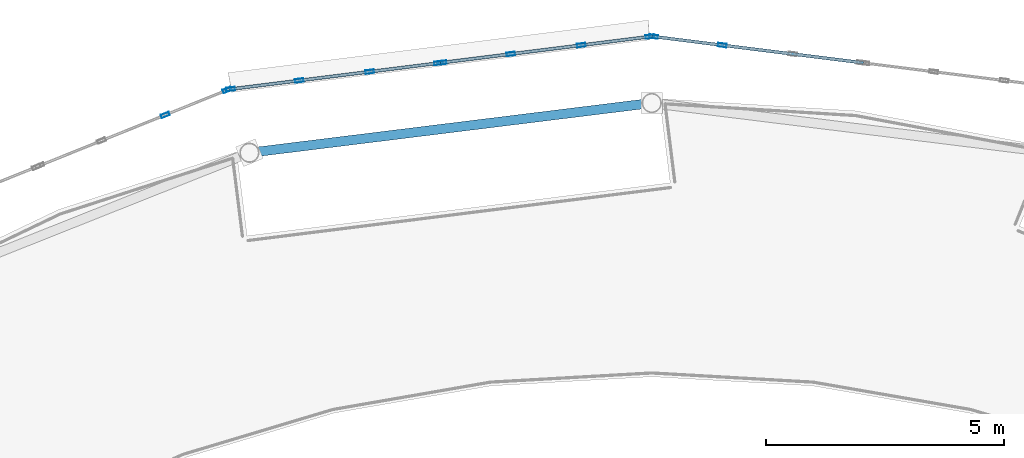
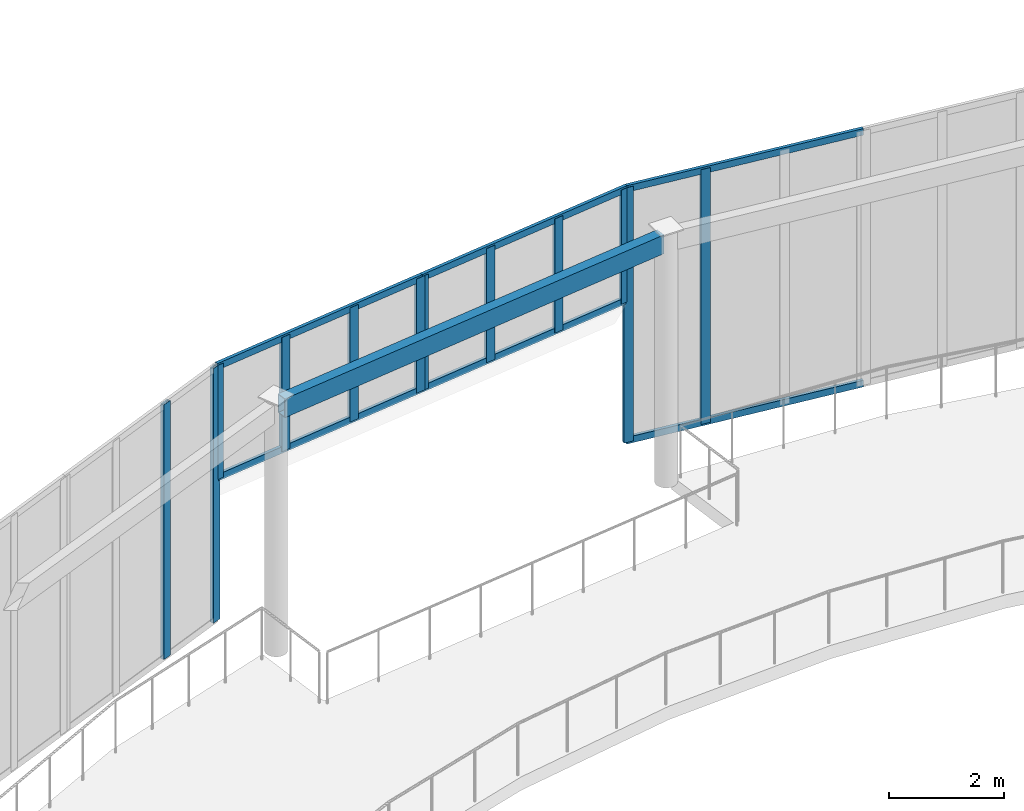
# One storey, part 45 of 98: 18 members, 1 beam, 4 elements without a shape of their own.
"""IFC4 building model written with IfcOpenShell, lengths in metres."""

from ifc_helpers import new_model, si_unit, direction, frame, origin, origin_2d, place, context, subcontext, project, spatial, hollow_rectangle, extrude, material, layer, layer_set, material_profile, profile_set, type_object, element, aggregate, save


model = new_model("IFC4")

# Units and contexts
model_context = context("Model", 3, precision=1e-05, world=origin(), true_north=direction((0.0, 1.0)))
body_context = subcontext(model_context, "Body", "Model", "MODEL_VIEW")
ifc_project = project(units=[si_unit("LENGTHUNIT", "METRE"), si_unit("AREAUNIT", "SQUARE_METRE"), si_unit("VOLUMEUNIT", "CUBIC_METRE"), si_unit("PLANEANGLEUNIT", "RADIAN"), si_unit("MASSUNIT", "GRAM", prefix="KILO")], contexts=[model_context])

# Site, building, storey
site_placement = place(None, origin())
site = spatial("IfcSite", under=ifc_project, at=site_placement, CompositionType="ELEMENT")
building_placement = place(site_placement, origin())
building = spatial("IfcBuilding", under=site, at=building_placement, Name="Sollismere Congress Hotel", CompositionType="ELEMENT")
storey_placement = place(building_placement, frame((0.0, 0.0, 5.39990234375)))
storey = spatial("IfcBuildingStorey", under=building, at=storey_placement, Name="L01", CompositionType="ELEMENT", Elevation=5.39990234375)

# Beam
ifc_material_1 = material(Name="Steel ASTM A500 Grade C", Category="steel")
ifc_material_profile_1 = material_profile(ifc_material_1, hollow_rectangle(XDim=0.199951171875, YDim=0.39990234375, WallThickness=0.011962890625, at=origin_2d()), Name="HSS400X200X12")
ifc_profile_set_1 = profile_set([ifc_material_profile_1], Name="Steel ASTM A500 Grade C")
beam_type = type_object("IfcBeamType", Name="BM-BX400", PredefinedType="HOLLOWCORE", material=ifc_profile_set_1)
beam_placement = place(storey_placement, frame((28.880859375, 111.7353515625, 5.150146484375), z_axis=(-0.992441298933, -0.122720284274, 0.0), x_axis=(0.122720284274, -0.992441298933, 0.0)))
element("IfcBeam", 1, at=beam_placement, inside=storey, type_object=beam_type, Name="Beam BM-L01-4191", PredefinedType="HOLLOWCORE", context=body_context, shape_type="SweptSolid", body=[
    extrude(hollow_rectangle(XDim=0.199951171875, YDim=0.39990234375, WallThickness=0.011962890625, at=origin_2d()), origin(), (0.0, 0.0, 1.0), 8.27587890625),
])

# Curtain wall, members
ifc_material_2 = material(Name="Anodized Bronze Curtain Wall & Low-E Triple Glazing", Category="glass")
ifc_layer = layer(ifc_material_2, 0.199951171875, Name="Anodized Bronze Curtain Wall & Low-E Triple Glazing")
ifc_layer_set = layer_set([ifc_layer], Name="Anodized Bronze Curtain Wall & Low-E Triple Glazing")
curtain_wall_type = type_object("IfcCurtainWallType", Name="CW-GLZ36", PredefinedType="USERDEFINED", material=ifc_layer_set)
curtain_wall_1_placement = place(storey_placement, origin())
curtain_wall_1 = element("IfcCurtainWall", 2, at=curtain_wall_1_placement, inside=storey, type_object=curtain_wall_type, Name="Unitised curtain wall CW-L01-014", ObjectType="UNITISED CURTAIN WALL", PredefinedType="USERDEFINED")
ifc_material_3 = material(Name="Anodized Aluminum 6063-T6", Category="aluminium")
ifc_material_profile_2 = material_profile(ifc_material_3, hollow_rectangle(XDim=0.074951171875, YDim=0.179931640625, WallThickness=0.0048828125, at=origin_2d()), Name="ALU180X75X5")
ifc_profile_set_2 = profile_set([ifc_material_profile_2], Name="Anodized Aluminum 6063-T6")
member_type_1 = type_object("IfcMemberType", Name="ML-CW180", PredefinedType="MULLION", material=ifc_profile_set_2)
member_1_placement = place(storey_placement, frame((30.480712890625, 112.96435546875, 0.0), z_axis=(0.0, 0.0, 1.0), x_axis=(-0.124363496441, -0.992236726166, 0.0)))
member_1 = element("IfcMember", 3, at=member_1_placement, type_object=member_type_1, Name="CWL-CW-L01-014-ML03", PredefinedType="MULLION", context=body_context, shape_type="SweptSolid", body=[
    extrude(hollow_rectangle(XDim=0.074951171875, YDim=0.179931640625, WallThickness=0.0048828125, at=origin_2d()), origin(), (0.0, 0.0, 1.0), 5.420166015625),
])
member_2_placement = place(storey_placement, frame((29.03759765625, 113.145263671875, 0.0), z_axis=(0.0, 0.0, 1.0), x_axis=(-0.124363496441, -0.992236726166, 0.0)))
member_2 = element("IfcMember", 4, at=member_2_placement, type_object=member_type_1, Name="CWL-CW-L01-014-ML04", PredefinedType="MULLION", context=body_context, shape_type="SweptSolid", body=[
    extrude(hollow_rectangle(XDim=0.074951171875, YDim=0.179931640625, WallThickness=0.0048828125, at=origin_2d()), origin(), (0.0, 0.0, 1.0), 5.420166015625),
])

curtain_wall_2_placement = place(storey_placement, origin())
curtain_wall_2 = element("IfcCurtainWall", 5, at=curtain_wall_2_placement, inside=storey, type_object=curtain_wall_type, Name="Unitised curtain wall CW-L01-017", ObjectType="UNITISED CURTAIN WALL", PredefinedType="USERDEFINED")
member_3_placement = place(storey_placement, frame((28.96240234375, 113.145263671875, 2.989990234375), z_axis=(0.0, 0.0, 1.0), x_axis=(0.124363496441, -0.992236726166, 0.0)))
member_3 = element("IfcMember", 6, at=member_3_placement, type_object=member_type_1, Name="CWL-CW-L01-017-ML01", PredefinedType="MULLION", context=body_context, shape_type="SweptSolid", body=[
    extrude(hollow_rectangle(XDim=0.074951171875, YDim=0.179931640625, WallThickness=0.0048828125, at=origin_2d()), origin(), (0.0, 0.0, 1.0), 2.43017578125),
])
member_4_placement = place(storey_placement, frame((27.519287109375, 112.96435546875, 2.989990234375), z_axis=(0.0, 0.0, 1.0), x_axis=(0.124363496441, -0.992236726166, 0.0)))
member_4 = element("IfcMember", 7, at=member_4_placement, type_object=member_type_1, Name="CWL-CW-L01-017-ML02", PredefinedType="MULLION", context=body_context, shape_type="SweptSolid", body=[
    extrude(hollow_rectangle(XDim=0.074951171875, YDim=0.179931640625, WallThickness=0.0048828125, at=origin_2d()), origin(), (0.0, 0.0, 1.0), 2.43017578125),
])
member_5_placement = place(storey_placement, frame((26.03857421875, 112.77880859375, 2.989990234375), z_axis=(0.0, 0.0, 1.0), x_axis=(0.124363496441, -0.992236726166, 0.0)))
member_5 = element("IfcMember", 8, at=member_5_placement, type_object=member_type_1, Name="CWL-CW-L01-017-ML03", PredefinedType="MULLION", context=body_context, shape_type="SweptSolid", body=[
    extrude(hollow_rectangle(XDim=0.074951171875, YDim=0.179931640625, WallThickness=0.0048828125, at=origin_2d()), origin(), (0.0, 0.0, 1.0), 2.43017578125),
])
member_6_placement = place(storey_placement, frame((24.595703125, 112.597900390625, 2.989990234375), z_axis=(0.0, 0.0, 1.0), x_axis=(0.124363496441, -0.992236726166, 0.0)))
member_6 = element("IfcMember", 9, at=member_6_placement, type_object=member_type_1, Name="CWL-CW-L01-017-ML04", PredefinedType="MULLION", context=body_context, shape_type="SweptSolid", body=[
    extrude(hollow_rectangle(XDim=0.074951171875, YDim=0.179931640625, WallThickness=0.0048828125, at=origin_2d()), origin(), (0.0, 0.0, 1.0), 2.43017578125),
])

curtain_wall_3_placement = place(storey_placement, origin())
curtain_wall_3 = element("IfcCurtainWall", 10, at=curtain_wall_3_placement, inside=storey, type_object=curtain_wall_type, Name="Unitised curtain wall CW-L01-018", ObjectType="UNITISED CURTAIN WALL", PredefinedType="USERDEFINED")
member_7_placement = place(storey_placement, frame((24.520263671875, 112.58837890625, 2.989990234375), z_axis=(0.0, 0.0, 1.0), x_axis=(0.124363496441, -0.992236726166, 0.0)))
member_7 = element("IfcMember", 11, at=member_7_placement, type_object=member_type_1, Name="CWL-CW-L01-018-ML01", PredefinedType="MULLION", context=body_context, shape_type="SweptSolid", body=[
    extrude(hollow_rectangle(XDim=0.074951171875, YDim=0.179931640625, WallThickness=0.0048828125, at=origin_2d()), origin(), (0.0, 0.0, 1.0), 2.43017578125),
])
member_8_placement = place(storey_placement, frame((23.0771484375, 112.40771484375, 2.989990234375), z_axis=(0.0, 0.0, 1.0), x_axis=(0.124363496441, -0.992236726166, 0.0)))
member_8 = element("IfcMember", 12, at=member_8_placement, type_object=member_type_1, Name="CWL-CW-L01-018-ML02", PredefinedType="MULLION", context=body_context, shape_type="SweptSolid", body=[
    extrude(hollow_rectangle(XDim=0.074951171875, YDim=0.179931640625, WallThickness=0.0048828125, at=origin_2d()), origin(), (0.0, 0.0, 1.0), 2.43017578125),
])
member_9_placement = place(storey_placement, frame((21.596435546875, 112.22216796875, 2.989990234375), z_axis=(0.0, 0.0, 1.0), x_axis=(0.124363496441, -0.992236726166, 0.0)))
member_9 = element("IfcMember", 13, at=member_9_placement, type_object=member_type_1, Name="CWL-CW-L01-018-ML03", PredefinedType="MULLION", context=body_context, shape_type="SweptSolid", body=[
    extrude(hollow_rectangle(XDim=0.074951171875, YDim=0.179931640625, WallThickness=0.0048828125, at=origin_2d()), origin(), (0.0, 0.0, 1.0), 2.43017578125),
])
member_10_placement = place(storey_placement, frame((20.153564453125, 112.041259765625, 2.989990234375), z_axis=(0.0, 0.0, 1.0), x_axis=(0.124363496441, -0.992236726166, 0.0)))
member_10 = element("IfcMember", 14, at=member_10_placement, type_object=member_type_1, Name="CWL-CW-L01-018-ML04", PredefinedType="MULLION", context=body_context, shape_type="SweptSolid", body=[
    extrude(hollow_rectangle(XDim=0.074951171875, YDim=0.179931640625, WallThickness=0.0048828125, at=origin_2d()), origin(), (0.0, 0.0, 1.0), 2.43017578125),
])

curtain_wall_4_placement = place(storey_placement, origin())
curtain_wall_4 = element("IfcCurtainWall", 15, at=curtain_wall_4_placement, inside=storey, type_object=curtain_wall_type, Name="Unitised curtain wall CW-L01-023", ObjectType="UNITISED CURTAIN WALL", PredefinedType="USERDEFINED")
member_11_placement = place(storey_placement, frame((20.08056640625, 112.022216796875, 0.0), z_axis=(0.0, 0.0, 1.0), x_axis=(0.373943018709, -0.927451680013, 0.0)))
member_11 = element("IfcMember", 16, at=member_11_placement, type_object=member_type_1, Name="CWL-CW-L01-023-ML01", PredefinedType="MULLION", context=body_context, shape_type="SweptSolid", body=[
    extrude(hollow_rectangle(XDim=0.074951171875, YDim=0.179931640625, WallThickness=0.0048828125, at=origin_2d()), origin(), (0.0, 0.0, 1.0), 5.420166015625),
])
member_12_placement = place(storey_placement, frame((18.780029296875, 111.497802734375, 0.0), z_axis=(0.0, 0.0, 1.0), x_axis=(0.373943018709, -0.927451680013, 0.0)))
member_12 = element("IfcMember", 17, at=member_12_placement, type_object=member_type_1, Name="CWL-CW-L01-023-ML02", PredefinedType="MULLION", context=body_context, shape_type="SweptSolid", body=[
    extrude(hollow_rectangle(XDim=0.074951171875, YDim=0.179931640625, WallThickness=0.0048828125, at=origin_2d()), origin(), (0.0, 0.0, 1.0), 5.420166015625),
])
aggregate(curtain_wall_4, [member_11, member_12])

# Member
ifc_material_profile_3 = material_profile(ifc_material_3, hollow_rectangle(XDim=0.06494140625, YDim=0.139892578125, WallThickness=0.00390625, at=origin_2d()), Name="ALU140X65X4")
ifc_profile_set_3 = profile_set([ifc_material_profile_3], Name="Anodized Aluminum 6063-T6")
member_type_2 = type_object("IfcMemberType", Name="TR-CW150", PredefinedType="MEMBER", material=ifc_profile_set_3)
member_13_placement = place(storey_placement, frame((33.442138671875, 112.59326171875, 0.03271484375), z_axis=(-0.992240076669, 0.124336761462, 0.0), x_axis=(-0.124336761462, -0.992240076669, 0.0)))
member_13 = element("IfcMember", 18, at=member_13_placement, type_object=member_type_2, Name="CWL-CW-L01-014-TR1", PredefinedType="MEMBER", context=body_context, shape_type="SweptSolid", body=[
    extrude(hollow_rectangle(XDim=0.06494140625, YDim=0.139892578125, WallThickness=0.00390625, at=origin_2d()), origin(), (0.0, 0.0, 1.0), 4.476806640625),
])

member_14_placement = place(storey_placement, frame((33.442138671875, 112.59326171875, 5.3876953125), z_axis=(-0.992240076669, 0.124336761462, 0.0), x_axis=(-0.124336761462, -0.992240076669, 0.0)))
member_14 = element("IfcMember", 19, at=member_14_placement, type_object=member_type_2, Name="CWL-CW-L01-014-TR2", PredefinedType="MEMBER", context=body_context, shape_type="SweptSolid", body=[
    extrude(hollow_rectangle(XDim=0.06494140625, YDim=0.139892578125, WallThickness=0.00390625, at=origin_2d()), origin(), (0.0, 0.0, 1.0), 4.476806640625),
])

aggregate(curtain_wall_1, [member_1, member_2, member_13, member_14])

member_15_placement = place(storey_placement, frame((29.0, 113.14990234375, 3.022705078125), z_axis=(-0.992240076669, -0.124336761462, 0.0), x_axis=(0.124336761462, -0.992240076669, 0.0)))
member_15 = element("IfcMember", 20, at=member_15_placement, type_object=member_type_2, Name="CWL-CW-L01-017-TR1", PredefinedType="MEMBER", context=body_context, shape_type="SweptSolid", body=[
    extrude(hollow_rectangle(XDim=0.06494140625, YDim=0.139892578125, WallThickness=0.00390625, at=origin_2d()), origin(), (0.0, 0.0, 1.0), 4.476806640625),
])

member_16_placement = place(storey_placement, frame((29.0, 113.14990234375, 5.3876953125), z_axis=(-0.992240076669, -0.124336761462, 0.0), x_axis=(0.124336761462, -0.992240076669, 0.0)))
member_16 = element("IfcMember", 21, at=member_16_placement, type_object=member_type_2, Name="CWL-CW-L01-017-TR2", PredefinedType="MEMBER", context=body_context, shape_type="SweptSolid", body=[
    extrude(hollow_rectangle(XDim=0.06494140625, YDim=0.139892578125, WallThickness=0.00390625, at=origin_2d()), origin(), (0.0, 0.0, 1.0), 4.476806640625),
])

aggregate(curtain_wall_2, [member_3, member_4, member_5, member_6, member_15, member_16])

member_17_placement = place(storey_placement, frame((24.557861328125, 112.59326171875, 3.022705078125), z_axis=(-0.992240076669, -0.124336761462, 0.0), x_axis=(0.124336761462, -0.992240076669, 0.0)))
member_17 = element("IfcMember", 22, at=member_17_placement, type_object=member_type_2, Name="CWL-CW-L01-018-TR1", PredefinedType="MEMBER", context=body_context, shape_type="SweptSolid", body=[
    extrude(hollow_rectangle(XDim=0.06494140625, YDim=0.139892578125, WallThickness=0.00390625, at=origin_2d()), origin(), (0.0, 0.0, 1.0), 4.476806640625),
])

member_18_placement = place(storey_placement, frame((24.557861328125, 112.59326171875, 5.3876953125), z_axis=(-0.992240076669, -0.124336761462, 0.0), x_axis=(0.124336761462, -0.992240076669, 0.0)))
member_18 = element("IfcMember", 23, at=member_18_placement, type_object=member_type_2, Name="CWL-CW-L01-018-TR2", PredefinedType="MEMBER", context=body_context, shape_type="SweptSolid", body=[
    extrude(hollow_rectangle(XDim=0.06494140625, YDim=0.139892578125, WallThickness=0.00390625, at=origin_2d()), origin(), (0.0, 0.0, 1.0), 4.476806640625),
])

aggregate(curtain_wall_3, [member_7, member_8, member_9, member_10, member_17, member_18])

save(model, "model.ifc")
